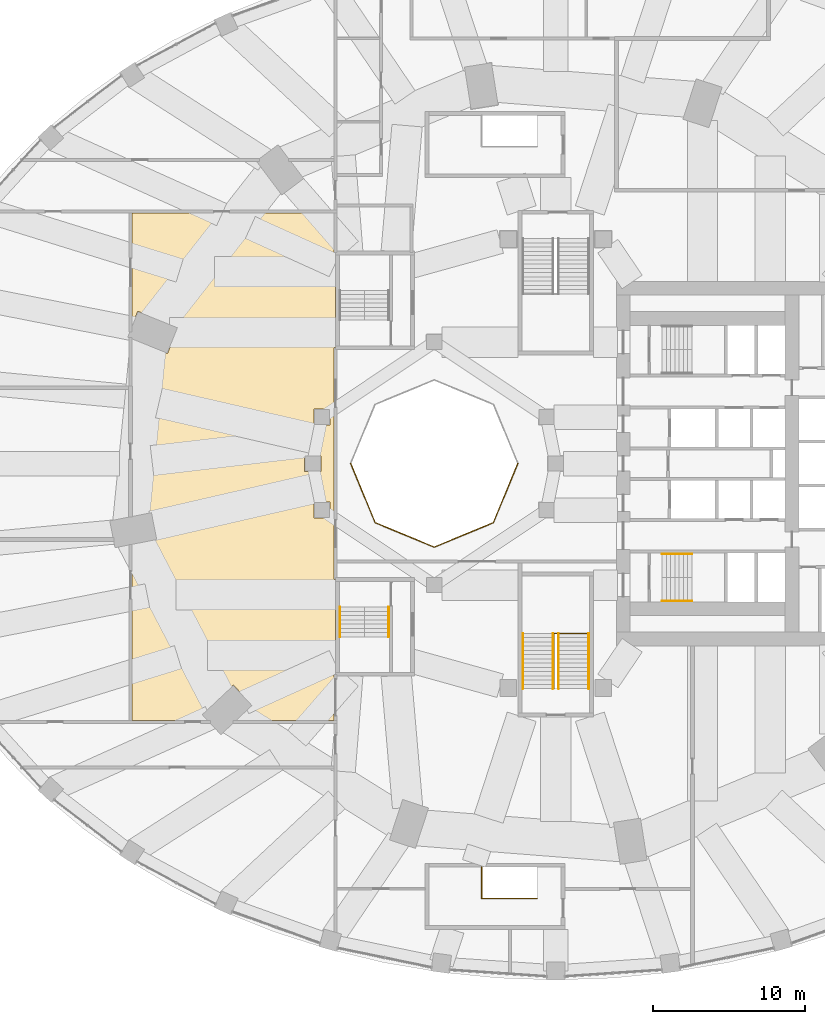
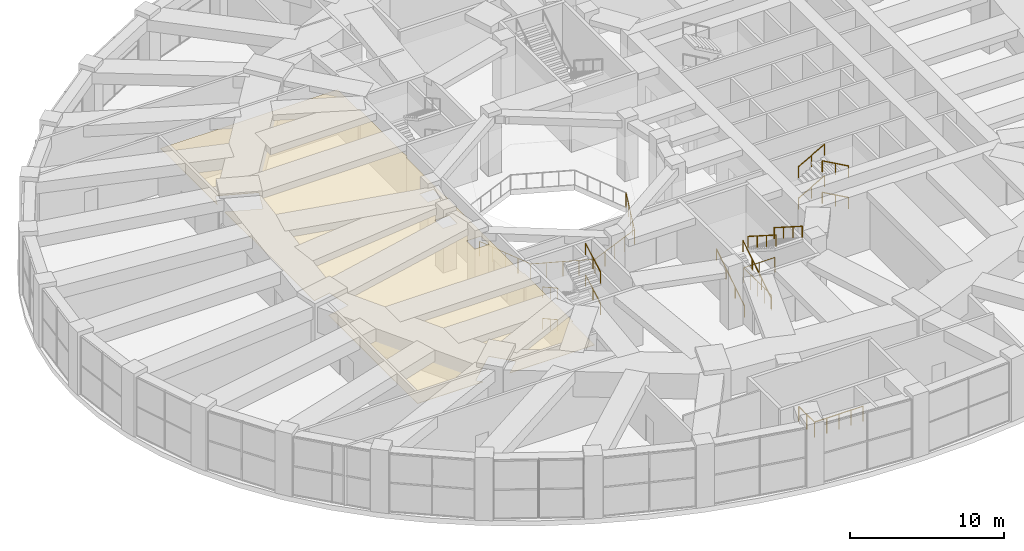
# One storey, part 27 of 30: 15 railings, 1 covering.
"""IFC4 building model written with IfcOpenShell, lengths in metres."""

from ifc_helpers import new_model, si_unit, direction, frame, origin, origin_2d, place, context, subcontext, project, spatial, polyline, circle, outline, extrude, material, layer, layer_set, type_object, element, save


model = new_model("IFC4")

# Units and contexts
model_context = context("Model", 3, precision=1e-05, world=origin(), true_north=direction((0.0, 1.0)))
body_context = subcontext(model_context, "Body", "Model", "MODEL_VIEW")
ifc_project = project(units=[si_unit("LENGTHUNIT", "METRE"), si_unit("AREAUNIT", "SQUARE_METRE"), si_unit("VOLUMEUNIT", "CUBIC_METRE"), si_unit("PLANEANGLEUNIT", "RADIAN"), si_unit("MASSUNIT", "GRAM", prefix="KILO")], contexts=[model_context])

# Site, building, storey
site_placement = place(None, origin())
site = spatial("IfcSite", under=ifc_project, at=site_placement, CompositionType="ELEMENT")
building_placement = place(site_placement, origin())
building = spatial("IfcBuilding", under=site, at=building_placement, Name="Taillehof Tower", CompositionType="ELEMENT")
storey_placement = place(building_placement, frame((0.0, 0.0, 12.5)))
storey = spatial("IfcBuildingStorey", under=building, at=storey_placement, Name="L02", CompositionType="ELEMENT", Elevation=12.5)

# Railings
ifc_material_1 = material(Name="Stainless steel and laminated glass", Category="steel")
railing_type_1 = type_object("IfcRailingType", Name="Guard 1200 mm", PredefinedType="GUARDRAIL", material=ifc_material_1)
railing_1_placement = place(storey_placement, frame((-13.5, 0.0, 0.0)))
element("IfcRailing", 1, at=railing_1_placement, inside=storey, type_object=railing_type_1, Name="Guard atrium", PredefinedType="GUARDRAIL", context=body_context, shape_type="SweptSolid", body=[
    extrude(circle(Radius=0.02392578125, at=origin_2d()), frame((0.0, 0.0, 1.17578125), z_axis=(0.38266253946, -0.923888186359, 0.0), x_axis=(0.923888186359, 0.38266253946, 0.0)), (0.0, 0.0, 1.0), 4.20947265625),
    extrude(circle(Radius=0.02392578125, at=origin_2d()), frame((1.61083984375, -3.88916015625, 1.17578125), z_axis=(0.923888186359, -0.38266253946, 0.0), x_axis=(0.38266253946, 0.923888186359, 0.0)), (0.0, 0.0, 1.0), 4.20947265625),
    extrude(circle(Radius=0.02392578125, at=origin_2d()), frame((5.5, -5.5, 1.17578125), z_axis=(0.923888186359, 0.38266253946, 0.0), x_axis=(-0.38266253946, 0.923888186359, 0.0)), (0.0, 0.0, 1.0), 4.20947265625),
    extrude(circle(Radius=0.02392578125, at=origin_2d()), frame((9.38916015625, -3.88916015625, 1.17578125), z_axis=(0.38266253946, 0.923888186359, 0.0), x_axis=(-0.923888186359, 0.38266253946, 0.0)), (0.0, 0.0, 1.0), 4.20947265625),
    extrude(circle(Radius=0.02099609375, at=origin_2d()), origin(), (0.0, 0.0, 1.0), 1.15185546875),
    extrude(circle(Radius=0.02099609375, at=origin_2d()), frame((0.40283203125, -0.97216796875, 0.0)), (0.0, 0.0, 1.0), 1.15185546875),
    extrude(circle(Radius=0.02099609375, at=origin_2d()), frame((0.805419921875, -1.944580078125, 0.0)), (0.0, 0.0, 1.0), 1.15185546875),
    extrude(circle(Radius=0.02099609375, at=origin_2d()), frame((1.2080078125, -2.9169921875, 0.0)), (0.0, 0.0, 1.0), 1.15185546875),
    extrude(circle(Radius=0.02099609375, at=origin_2d()), frame((1.61083984375, -3.88916015625, 0.0)), (0.0, 0.0, 1.0), 1.15185546875),
    extrude(circle(Radius=0.02099609375, at=origin_2d()), frame((2.5830078125, -4.2919921875, 0.0)), (0.0, 0.0, 1.0), 1.15185546875),
    extrude(circle(Radius=0.02099609375, at=origin_2d()), frame((3.555419921875, -4.694580078125, 0.0)), (0.0, 0.0, 1.0), 1.15185546875),
    extrude(circle(Radius=0.02099609375, at=origin_2d()), frame((4.52783203125, -5.09716796875, 0.0)), (0.0, 0.0, 1.0), 1.15185546875),
    extrude(circle(Radius=0.02099609375, at=origin_2d()), frame((5.5, -5.5, 0.0)), (0.0, 0.0, 1.0), 1.15185546875),
    extrude(circle(Radius=0.02099609375, at=origin_2d()), frame((6.47216796875, -5.09716796875, 0.0)), (0.0, 0.0, 1.0), 1.15185546875),
    extrude(circle(Radius=0.02099609375, at=origin_2d()), frame((7.444580078125, -4.694580078125, 0.0)), (0.0, 0.0, 1.0), 1.15185546875),
    extrude(circle(Radius=0.02099609375, at=origin_2d()), frame((8.4169921875, -4.2919921875, 0.0)), (0.0, 0.0, 1.0), 1.15185546875),
    extrude(circle(Radius=0.02099609375, at=origin_2d()), frame((9.38916015625, -3.88916015625, 0.0)), (0.0, 0.0, 1.0), 1.15185546875),
    extrude(circle(Radius=0.02099609375, at=origin_2d()), frame((9.7919921875, -2.9169921875, 0.0)), (0.0, 0.0, 1.0), 1.15185546875),
    extrude(circle(Radius=0.02099609375, at=origin_2d()), frame((10.194580078125, -1.944580078125, 0.0)), (0.0, 0.0, 1.0), 1.15185546875),
    extrude(circle(Radius=0.02099609375, at=origin_2d()), frame((10.59716796875, -0.97216796875, 0.0)), (0.0, 0.0, 1.0), 1.15185546875),
    extrude(circle(Radius=0.02099609375, at=origin_2d()), frame((11.0, 0.0, 0.0)), (0.0, 0.0, 1.0), 1.15185546875),
])
railing_2_placement = place(storey_placement, frame((-0.125, -14.820068359375, 0.0)))
element("IfcRailing", 2, at=railing_2_placement, inside=storey, type_object=railing_type_1, Name="Guard P2", PredefinedType="GUARDRAIL", context=body_context, shape_type="SweptSolid", body=[
    extrude(circle(Radius=0.02392578125, at=origin_2d()), frame((0.0, 0.0, 1.17578125), z_axis=(0.0, 1.0, 0.0), x_axis=(-1.0, 0.0, 0.0)), (0.0, 0.0, 1.0), 3.64013671875),
    extrude(circle(Radius=0.02392578125, at=origin_2d()), frame((0.0, 3.64013671875, 1.17578125), z_axis=(1.0, 0.0, 0.0), x_axis=(0.0, 1.0, 0.0)), (0.0, 0.0, 1.0), 2.35009765625),
    extrude(circle(Radius=0.02099609375, at=origin_2d()), origin(), (0.0, 0.0, 1.0), 1.15185546875),
    extrude(circle(Radius=0.02099609375, at=origin_2d()), frame((0.0, 0.91015625, 0.0)), (0.0, 0.0, 1.0), 1.15185546875),
    extrude(circle(Radius=0.02099609375, at=origin_2d()), frame((0.0, 1.820068359375, 0.0)), (0.0, 0.0, 1.0), 1.15185546875),
    extrude(circle(Radius=0.02099609375, at=origin_2d()), frame((0.0, 2.72998046875, 0.0)), (0.0, 0.0, 1.0), 1.15185546875),
    extrude(circle(Radius=0.02099609375, at=origin_2d()), frame((0.0, 3.64013671875, 0.0)), (0.0, 0.0, 1.0), 1.15185546875),
    extrude(circle(Radius=0.02099609375, at=origin_2d()), frame((1.175048828125, 3.64013671875, 0.0)), (0.0, 0.0, 1.0), 1.15185546875),
    extrude(circle(Radius=0.02099609375, at=origin_2d()), frame((2.35009765625, 3.64013671875, 0.0)), (0.0, 0.0, 1.0), 1.15185546875),
])
railing_3_placement = place(storey_placement, frame((-1.239990234375, -28.625, 0.0)))
element("IfcRailing", 3, at=railing_3_placement, inside=storey, type_object=railing_type_1, Name="Guard P4", PredefinedType="GUARDRAIL", context=body_context, shape_type="SweptSolid", body=[
    extrude(circle(Radius=0.02392578125, at=origin_2d()), frame((0.0, 0.0, 1.17578125), z_axis=(-1.0, 0.0, 0.0), x_axis=(0.0, -1.0, 0.0)), (0.0, 0.0, 1.0), 3.639892578125),
    extrude(circle(Radius=0.02392578125, at=origin_2d()), frame((-3.639892578125, 0.0, 1.17578125), z_axis=(0.0, 1.0, 0.0), x_axis=(-1.0, 0.0, 0.0)), (0.0, 0.0, 1.0), 2.050048828125),
    extrude(circle(Radius=0.02099609375, at=origin_2d()), origin(), (0.0, 0.0, 1.0), 1.15185546875),
    extrude(circle(Radius=0.02099609375, at=origin_2d()), frame((-0.909912109375, 0.0, 0.0)), (0.0, 0.0, 1.0), 1.15185546875),
    extrude(circle(Radius=0.02099609375, at=origin_2d()), frame((-1.81982421875, 0.0, 0.0)), (0.0, 0.0, 1.0), 1.15185546875),
    extrude(circle(Radius=0.02099609375, at=origin_2d()), frame((-2.72998046875, 0.0, 0.0)), (0.0, 0.0, 1.0), 1.15185546875),
    extrude(circle(Radius=0.02099609375, at=origin_2d()), frame((-3.639892578125, 0.0, 0.0)), (0.0, 0.0, 1.0), 1.15185546875),
    extrude(circle(Radius=0.02099609375, at=origin_2d()), frame((-3.639892578125, 1.02490234375, 0.0)), (0.0, 0.0, 1.0), 1.15185546875),
    extrude(circle(Radius=0.02099609375, at=origin_2d()), frame((-3.639892578125, 2.050048828125, 0.0)), (0.0, 0.0, 1.0), 1.15185546875),
])
ifc_material_2 = material(Name="Stainless steel tube", Category="steel")
railing_type_2 = type_object("IfcRailingType", Name="Handrail 900 mm", PredefinedType="HANDRAIL", material=ifc_material_2)
for number, where, name in (
    (4, (-2.1650390625, -14.820068359375, 0.1787109375), "Handrail P2"),
    (5, (-0.18505859375, -14.820068359375, 0.1787109375), "Handrail P2"),
):
    element("IfcRailing", number, at=place(storey_placement, frame(where)), inside=storey, type_object=railing_type_2, Name=name, PredefinedType="HANDRAIL", context=body_context, shape_type="SweptSolid", body=[
        extrude(circle(Radius=0.02392578125, at=origin_2d()), frame((0.0, 0.0, 0.8759765625), z_axis=(0.0, 0.843153495434, 0.537672933239), x_axis=(-1.0, 0.0, 0.0)), (0.0, 0.0, 1.0), 4.3173828125),
        extrude(circle(Radius=0.02099609375, at=origin_2d()), origin(), (0.0, 0.0, 1.0), 0.851806640625),
        extrude(circle(Radius=0.02099609375, at=origin_2d()), frame((0.0, 1.21337890625, 0.773681640625)), (0.0, 0.0, 1.0), 0.851806640625),
        extrude(circle(Radius=0.02099609375, at=origin_2d()), frame((0.0, 2.4267578125, 1.547607421875)), (0.0, 0.0, 1.0), 0.851806640625),
        extrude(circle(Radius=0.02099609375, at=origin_2d()), frame((0.0, 3.64013671875, 2.3212890625)), (0.0, 0.0, 1.0), 0.851806640625),
    ])
for number, where, name in (
    (6, (0.18505859375, -11.179931640625, 2.6787109375), "Handrail P2"),
    (7, (2.1650390625, -11.179931640625, 2.6787109375), "Handrail P2"),
):
    element("IfcRailing", number, at=place(storey_placement, frame(where)), inside=storey, type_object=railing_type_2, Name=name, PredefinedType="HANDRAIL", context=body_context, shape_type="SweptSolid", body=[
        extrude(circle(Radius=0.02392578125, at=origin_2d()), frame((0.0, 0.0, 0.8759765625), z_axis=(0.0, -0.843153495434, 0.537672933239), x_axis=(1.0, 0.0, 0.0)), (0.0, 0.0, 1.0), 4.3173828125),
        extrude(circle(Radius=0.02099609375, at=origin_2d()), origin(), (0.0, 0.0, 1.0), 0.851806640625),
        extrude(circle(Radius=0.02099609375, at=origin_2d()), frame((0.0, -1.21337890625, 0.773681640625)), (0.0, 0.0, 1.0), 0.851806640625),
        extrude(circle(Radius=0.02099609375, at=origin_2d()), frame((0.0, -2.4267578125, 1.547607421875)), (0.0, 0.0, 1.0), 0.851806640625),
        extrude(circle(Radius=0.02099609375, at=origin_2d()), frame((0.0, -3.64013671875, 2.3212890625)), (0.0, 0.0, 1.0), 0.851806640625),
    ])
ifc_material_3 = material(Name="Stainless steel", Category="steel")
railing_type_3 = type_object("IfcRailingType", Name="Stair handrail 900", PredefinedType="HANDRAIL", material=ifc_material_3)
railing_4_placement = place(storey_placement, frame((7.0, -5.949951171875, 0.15625)))
element("IfcRailing", 8, at=railing_4_placement, inside=storey, type_object=railing_type_3, Name="Stair S2 handrail", PredefinedType="HANDRAIL", context=body_context, shape_type="SweptSolid", body=[
    extrude(circle(Radius=0.02392578125, at=origin_2d()), frame((0.0, 0.0, 0.8759765625), z_axis=(0.873232148454, 0.0, 0.487304437602), x_axis=(0.0, 1.0, 0.0)), (0.0, 0.0, 1.0), 2.244384765625),
    extrude(circle(Radius=0.02099609375, at=origin_2d()), origin(), (0.0, 0.0, 1.0), 0.851806640625),
    extrude(circle(Radius=0.02099609375, at=origin_2d()), frame((0.97998046875, 0.0, 0.546875)), (0.0, 0.0, 1.0), 0.851806640625),
    extrude(circle(Radius=0.02099609375, at=origin_2d()), frame((1.9599609375, 0.0, 1.09375)), (0.0, 0.0, 1.0), 0.851806640625),
])
railing_5_placement = place(storey_placement, frame((8.9599609375, -9.050048828125, 1.40625)))
element("IfcRailing", 9, at=railing_5_placement, inside=storey, type_object=railing_type_3, Name="Stair S2 handrail", PredefinedType="HANDRAIL", context=body_context, shape_type="SweptSolid", body=[
    extrude(circle(Radius=0.02392578125, at=origin_2d()), frame((0.0, 0.0, 0.8759765625), z_axis=(-0.873232148454, 0.0, 0.487304437602), x_axis=(0.0, -1.0, 0.0)), (0.0, 0.0, 1.0), 2.244384765625),
    extrude(circle(Radius=0.02099609375, at=origin_2d()), origin(), (0.0, 0.0, 1.0), 0.851806640625),
    extrude(circle(Radius=0.02099609375, at=origin_2d()), frame((-0.97998046875, 0.0, 0.546875)), (0.0, 0.0, 1.0), 0.851806640625),
    extrude(circle(Radius=0.02099609375, at=origin_2d()), frame((-1.9599609375, 0.0, 1.09375)), (0.0, 0.0, 1.0), 0.851806640625),
])
railing_6_placement = place(storey_placement, frame((7.0, -5.949951171875, 2.65625)))
element("IfcRailing", 10, at=railing_6_placement, inside=storey, type_object=railing_type_3, Name="Stair S2 handrail", PredefinedType="HANDRAIL", context=body_context, shape_type="SweptSolid", body=[
    extrude(circle(Radius=0.02392578125, at=origin_2d()), frame((0.0, 0.0, 0.8759765625), z_axis=(0.873232148454, 0.0, 0.487304437602), x_axis=(0.0, 1.0, 0.0)), (0.0, 0.0, 1.0), 2.244384765625),
    extrude(circle(Radius=0.02099609375, at=origin_2d()), origin(), (0.0, 0.0, 1.0), 0.851806640625),
    extrude(circle(Radius=0.02099609375, at=origin_2d()), frame((0.97998046875, 0.0, 0.546875)), (0.0, 0.0, 1.0), 0.851806640625),
    extrude(circle(Radius=0.02099609375, at=origin_2d()), frame((1.9599609375, 0.0, 1.09375)), (0.0, 0.0, 1.0), 0.851806640625),
])
railing_7_placement = place(storey_placement, frame((8.9599609375, -9.050048828125, 3.90625)))
element("IfcRailing", 11, at=railing_7_placement, inside=storey, type_object=railing_type_3, Name="Stair S2 handrail", PredefinedType="HANDRAIL", context=body_context, shape_type="SweptSolid", body=[
    extrude(circle(Radius=0.02392578125, at=origin_2d()), frame((0.0, 0.0, 0.8759765625), z_axis=(-0.873232148454, 0.0, 0.487304437602), x_axis=(0.0, -1.0, 0.0)), (0.0, 0.0, 1.0), 2.244384765625),
    extrude(circle(Radius=0.02099609375, at=origin_2d()), origin(), (0.0, 0.0, 1.0), 0.851806640625),
    extrude(circle(Radius=0.02099609375, at=origin_2d()), frame((-0.97998046875, 0.0, 0.546875)), (0.0, 0.0, 1.0), 0.851806640625),
    extrude(circle(Radius=0.02099609375, at=origin_2d()), frame((-1.9599609375, 0.0, 1.09375)), (0.0, 0.0, 1.0), 0.851806640625),
])
railing_8_placement = place(storey_placement, frame((-14.199951171875, -9.449951171875, 0.15625)))
element("IfcRailing", 12, at=railing_8_placement, inside=storey, type_object=railing_type_3, Name="Stair S4 handrail", PredefinedType="HANDRAIL", context=body_context, shape_type="SweptSolid", body=[
    extrude(circle(Radius=0.02392578125, at=origin_2d()), frame((0.0, 0.0, 0.8759765625), z_axis=(0.0, -0.873232148454, 0.487304437602), x_axis=(1.0, 0.0, 0.0)), (0.0, 0.0, 1.0), 2.244384765625),
    extrude(circle(Radius=0.02099609375, at=origin_2d()), origin(), (0.0, 0.0, 1.0), 0.851806640625),
    extrude(circle(Radius=0.02099609375, at=origin_2d()), frame((0.0, -0.97998046875, 0.546875)), (0.0, 0.0, 1.0), 0.851806640625),
    extrude(circle(Radius=0.02099609375, at=origin_2d()), frame((0.0, -1.9599609375, 1.09375)), (0.0, 0.0, 1.0), 0.851806640625),
])
railing_9_placement = place(storey_placement, frame((-11.0, -11.409912109375, 1.40625)))
element("IfcRailing", 13, at=railing_9_placement, inside=storey, type_object=railing_type_3, Name="Stair S4 handrail", PredefinedType="HANDRAIL", context=body_context, shape_type="SweptSolid", body=[
    extrude(circle(Radius=0.02392578125, at=origin_2d()), frame((0.0, 0.0, 0.8759765625), z_axis=(0.0, 0.873232148454, 0.487304437602), x_axis=(-1.0, 0.0, 0.0)), (0.0, 0.0, 1.0), 2.244384765625),
    extrude(circle(Radius=0.02099609375, at=origin_2d()), origin(), (0.0, 0.0, 1.0), 0.851806640625),
    extrude(circle(Radius=0.02099609375, at=origin_2d()), frame((0.0, 0.97998046875, 0.546875)), (0.0, 0.0, 1.0), 0.851806640625),
    extrude(circle(Radius=0.02099609375, at=origin_2d()), frame((0.0, 1.9599609375, 1.09375)), (0.0, 0.0, 1.0), 0.851806640625),
])
railing_10_placement = place(storey_placement, frame((-14.199951171875, -9.449951171875, 2.65625)))
element("IfcRailing", 14, at=railing_10_placement, inside=storey, type_object=railing_type_3, Name="Stair S4 handrail", PredefinedType="HANDRAIL", context=body_context, shape_type="SweptSolid", body=[
    extrude(circle(Radius=0.02392578125, at=origin_2d()), frame((0.0, 0.0, 0.8759765625), z_axis=(0.0, -0.873232148454, 0.487304437602), x_axis=(1.0, 0.0, 0.0)), (0.0, 0.0, 1.0), 2.244384765625),
    extrude(circle(Radius=0.02099609375, at=origin_2d()), origin(), (0.0, 0.0, 1.0), 0.851806640625),
    extrude(circle(Radius=0.02099609375, at=origin_2d()), frame((0.0, -0.97998046875, 0.546875)), (0.0, 0.0, 1.0), 0.851806640625),
    extrude(circle(Radius=0.02099609375, at=origin_2d()), frame((0.0, -1.9599609375, 1.09375)), (0.0, 0.0, 1.0), 0.851806640625),
])
railing_11_placement = place(storey_placement, frame((-11.0, -11.409912109375, 3.90625)))
element("IfcRailing", 15, at=railing_11_placement, inside=storey, type_object=railing_type_3, Name="Stair S4 handrail", PredefinedType="HANDRAIL", context=body_context, shape_type="SweptSolid", body=[
    extrude(circle(Radius=0.02392578125, at=origin_2d()), frame((0.0, 0.0, 0.8759765625), z_axis=(0.0, 0.873232148454, 0.487304437602), x_axis=(-1.0, 0.0, 0.0)), (0.0, 0.0, 1.0), 2.244384765625),
    extrude(circle(Radius=0.02099609375, at=origin_2d()), origin(), (0.0, 0.0, 1.0), 0.851806640625),
    extrude(circle(Radius=0.02099609375, at=origin_2d()), frame((0.0, 0.97998046875, 0.546875)), (0.0, 0.0, 1.0), 0.851806640625),
    extrude(circle(Radius=0.02099609375, at=origin_2d()), frame((0.0, 1.9599609375, 1.09375)), (0.0, 0.0, 1.0), 0.851806640625),
])

# Covering
ifc_material_4 = material(Name="Mineral fibre ceiling tiles")
ifc_layer = layer(ifc_material_4, 0.030029296875)
ifc_layer_set = layer_set([ifc_layer], Name="Suspended ceiling 30 mm")
covering_type = type_object("IfcCoveringType", Name="Suspended ceiling 30 mm", PredefinedType="CEILING", material=ifc_layer_set)
covering_placement = place(storey_placement, frame((0.0, 0.0, 3.570068359375)))
element("IfcCovering", 16, at=covering_placement, inside=storey, type_object=covering_type, Name="Ceiling L02-21", PredefinedType="CEILING", context=body_context, shape_type="SweptSolid", body=[
    extrude(outline(polyline([(-27.89990234375, -16.89990234375), (-27.89990234375, -5.347900390625), (-26.267578125, -5.02685546875), (-26.264892578125, -5.0263671875), (-26.261962890625, -5.025390625), (-26.25927734375, -5.02392578125), (-26.2568359375, -5.0224609375), (-26.25439453125, -5.020751953125), (-26.252197265625, -5.018798828125), (-26.250244140625, -5.0166015625), (-26.24853515625, -5.01416015625), (-26.2470703125, -5.01171875), (-26.245849609375, -5.009033203125), (-26.244873046875, -5.00634765625), (-26.244140625, -5.00341796875), (-26.24365234375, -5.00048828125), (-26.243408203125, -4.99755859375), (-26.24365234375, -4.99462890625), (-26.244140625, -4.99169921875), (-26.59130859375, -3.2255859375), (-26.592041015625, -3.22265625), (-26.593017578125, -3.219970703125), (-26.59423828125, -3.21728515625), (-26.595947265625, -3.21484375), (-26.59765625, -3.21240234375), (-26.599609375, -3.210205078125), (-26.601806640625, -3.208251953125), (-26.60400390625, -3.20654296875), (-26.606689453125, -3.204833984375), (-26.609375, -3.20361328125), (-26.612060546875, -3.20263671875), (-26.614990234375, -3.201904296875), (-26.617919921875, -3.201416015625), (-26.620849609375, -3.201416015625), (-26.623779296875, -3.201416015625), (-26.626708984375, -3.201904296875), (-27.875, -3.447509765625), (-27.875, 5.125), (-27.89990234375, 5.125), (-27.89990234375, 8.181884765625), (-25.598876953125, 7.247802734375), (-25.59619140625, 7.246826171875), (-25.59326171875, 7.24609375), (-25.59033203125, 7.24560546875), (-25.58740234375, 7.24560546875), (-25.58447265625, 7.24560546875), (-25.58154296875, 7.24609375), (-25.578857421875, 7.246826171875), (-25.575927734375, 7.247802734375), (-25.5732421875, 7.2490234375), (-25.57080078125, 7.250732421875), (-25.568359375, 7.25244140625), (-25.56640625, 7.25439453125), (-25.564453125, 7.256591796875), (-25.5625, 7.259033203125), (-25.56103515625, 7.261474609375), (-25.559814453125, 7.26416015625), (-24.8828125, 8.93212890625), (-24.8818359375, 8.934814453125), (-24.881103515625, 8.937744140625), (-24.880615234375, 8.940673828125), (-24.880615234375, 8.943603515625), (-24.880859375, 8.946533203125), (-24.881103515625, 8.949462890625), (-24.8818359375, 8.9521484375), (-24.883056640625, 8.955078125), (-24.88427734375, 8.95751953125), (-24.8857421875, 8.960205078125), (-24.887451171875, 8.96240234375), (-24.8896484375, 8.964599609375), (-24.891845703125, 8.966552734375), (-24.89404296875, 8.96826171875), (-24.896728515625, 8.969970703125), (-24.8994140625, 8.97119140625), (-27.49365234375, 10.0244140625), (-27.496337890625, 10.025390625), (-27.499267578125, 10.02587890625), (-27.502197265625, 10.0263671875), (-27.505126953125, 10.026611328125), (-27.508056640625, 10.0263671875), (-27.510986328125, 10.02587890625), (-27.513916015625, 10.025146484375), (-27.5166015625, 10.024169921875), (-27.519287109375, 10.02294921875), (-27.521728515625, 10.021240234375), (-27.524169921875, 10.01953125), (-27.5263671875, 10.017578125), (-27.5283203125, 10.015380859375), (-27.530029296875, 10.012939453125), (-27.531494140625, 10.010498046875), (-27.53271484375, 10.0078125), (-27.89990234375, 9.103271484375), (-27.89990234375, 16.5), (-14.60009765625, 16.5), (-14.60009765625, 13.89990234375), (-14.5, 13.89990234375), (-14.5, 7.60009765625), (-14.60009765625, 7.60009765625), (-14.60009765625, -6.35009765625), (-14.60009765625, -7.60009765625), (-14.5, -7.60009765625), (-14.5, -13.89990234375), (-14.60009765625, -13.89990234375), (-14.60009765625, -16.89990234375), (-20.9951171875, -16.89990234375), (-19.983154296875, -15.95263671875), (-19.98095703125, -15.95068359375), (-19.979248046875, -15.9482421875), (-19.9775390625, -15.94580078125), (-19.976318359375, -15.943115234375), (-19.97509765625, -15.9404296875), (-19.974365234375, -15.937744140625), (-19.973876953125, -15.934814453125), (-19.9736328125, -15.931884765625), (-19.9736328125, -15.928955078125), (-19.97412109375, -15.926025390625), (-19.974609375, -15.923095703125), (-19.9755859375, -15.920166015625), (-19.976806640625, -15.91748046875), (-19.97802734375, -15.9150390625), (-19.979736328125, -15.91259765625), (-19.981689453125, -15.910400390625), (-21.211669921875, -14.59619140625), (-21.2138671875, -14.593994140625), (-21.216064453125, -14.59228515625), (-21.218505859375, -14.590576171875), (-21.22119140625, -14.58935546875), (-21.223876953125, -14.588134765625), (-21.226806640625, -14.58740234375), (-21.229736328125, -14.5869140625), (-21.232666015625, -14.586669921875), (-21.235595703125, -14.586669921875), (-21.238525390625, -14.5869140625), (-21.241455078125, -14.587646484375), (-21.244140625, -14.588623046875), (-21.246826171875, -14.589599609375), (-21.24951171875, -14.591064453125), (-21.251953125, -14.5927734375), (-21.254150390625, -14.5947265625), (-23.29833984375, -16.508056640625), (-23.300537109375, -16.51025390625), (-23.30224609375, -16.512451171875), (-23.303955078125, -16.514892578125), (-23.30517578125, -16.517578125), (-23.306396484375, -16.520263671875), (-23.30712890625, -16.523193359375), (-23.3076171875, -16.526123046875), (-23.307861328125, -16.529052734375), (-23.307861328125, -16.531982421875), (-23.3076171875, -16.534912109375), (-23.306884765625, -16.53759765625), (-23.305908203125, -16.54052734375), (-23.304931640625, -16.543212890625), (-23.303466796875, -16.545654296875), (-23.3017578125, -16.548095703125), (-23.2998046875, -16.550537109375), (-22.97265625, -16.89990234375), (-27.89990234375, -16.89990234375)]), holes=[polyline([(-15.902587890625, -3.589111328125), (-15.899658203125, -3.590087890625), (-15.89697265625, -3.5908203125), (-15.89404296875, -3.59130859375), (-15.89111328125, -3.591552734375), (-14.89111328125, -3.591552734375), (-14.88818359375, -3.59130859375), (-14.88525390625, -3.5908203125), (-14.88232421875, -3.590087890625), (-14.879638671875, -3.589111328125), (-14.876953125, -3.587890625), (-14.874267578125, -3.58642578125), (-14.8720703125, -3.584716796875), (-14.869873046875, -3.582763671875), (-14.867919921875, -3.58056640625), (-14.8662109375, -3.578125), (-14.864501953125, -3.57568359375), (-14.86328125, -3.572998046875), (-14.8623046875, -3.570068359375), (-14.861572265625, -3.5673828125), (-14.861083984375, -3.564453125), (-14.861083984375, -3.5615234375), (-14.861083984375, -2.5615234375), (-14.861083984375, -2.55859375), (-14.861572265625, -2.5556640625), (-14.8623046875, -2.552734375), (-14.86328125, -2.550048828125), (-14.864501953125, -2.54736328125), (-14.8662109375, -2.544921875), (-14.867919921875, -2.54248046875), (-14.869873046875, -2.540283203125), (-14.8720703125, -2.538330078125), (-14.874267578125, -2.53662109375), (-14.876953125, -2.534912109375), (-14.879638671875, -2.53369140625), (-14.88232421875, -2.53271484375), (-14.88525390625, -2.531982421875), (-14.88818359375, -2.531494140625), (-14.89111328125, -2.531494140625), (-15.89111328125, -2.531494140625), (-15.89404296875, -2.531494140625), (-15.89697265625, -2.531982421875), (-15.899658203125, -2.53271484375), (-15.902587890625, -2.53369140625), (-15.9052734375, -2.534912109375), (-15.90771484375, -2.53662109375), (-15.91015625, -2.538330078125), (-15.912353515625, -2.540283203125), (-15.914306640625, -2.54248046875), (-15.916015625, -2.544921875), (-15.91748046875, -2.54736328125), (-15.918701171875, -2.550048828125), (-15.919677734375, -2.552734375), (-15.92041015625, -2.5556640625), (-15.9208984375, -2.55859375), (-15.921142578125, -2.5615234375), (-15.921142578125, -3.5615234375), (-15.9208984375, -3.564453125), (-15.92041015625, -3.5673828125), (-15.919677734375, -3.570068359375), (-15.918701171875, -3.572998046875), (-15.91748046875, -3.57568359375), (-15.916015625, -3.578125), (-15.914306640625, -3.58056640625), (-15.912353515625, -3.582763671875), (-15.91015625, -3.584716796875), (-15.90771484375, -3.58642578125), (-15.9052734375, -3.587890625), (-15.902587890625, -3.589111328125)]), polyline([(-16.511474609375, -0.52783203125), (-16.5087890625, -0.52880859375), (-16.505859375, -0.529541015625), (-16.5029296875, -0.52978515625), (-16.5, -0.530029296875), (-15.5, -0.530029296875), (-15.4970703125, -0.52978515625), (-15.494140625, -0.529541015625), (-15.4912109375, -0.52880859375), (-15.488525390625, -0.52783203125), (-15.48583984375, -0.5263671875), (-15.4833984375, -0.52490234375), (-15.48095703125, -0.523193359375), (-15.478759765625, -0.521240234375), (-15.476806640625, -0.51904296875), (-15.47509765625, -0.5166015625), (-15.4736328125, -0.51416015625), (-15.47216796875, -0.511474609375), (-15.47119140625, -0.5087890625), (-15.470458984375, -0.505859375), (-15.47021484375, -0.5029296875), (-15.469970703125, -0.5), (-15.469970703125, 0.5), (-15.47021484375, 0.5029296875), (-15.470458984375, 0.505859375), (-15.47119140625, 0.5087890625), (-15.47216796875, 0.511474609375), (-15.4736328125, 0.51416015625), (-15.47509765625, 0.5166015625), (-15.476806640625, 0.51904296875), (-15.478759765625, 0.521240234375), (-15.48095703125, 0.523193359375), (-15.4833984375, 0.52490234375), (-15.48583984375, 0.5263671875), (-15.488525390625, 0.52783203125), (-15.4912109375, 0.52880859375), (-15.494140625, 0.529541015625), (-15.4970703125, 0.52978515625), (-15.5, 0.530029296875), (-16.5, 0.530029296875), (-16.5029296875, 0.52978515625), (-16.505859375, 0.529541015625), (-16.5087890625, 0.52880859375), (-16.511474609375, 0.52783203125), (-16.51416015625, 0.5263671875), (-16.5166015625, 0.52490234375), (-16.51904296875, 0.523193359375), (-16.521240234375, 0.521240234375), (-16.523193359375, 0.51904296875), (-16.52490234375, 0.5166015625), (-16.5263671875, 0.51416015625), (-16.52783203125, 0.511474609375), (-16.52880859375, 0.5087890625), (-16.529541015625, 0.505859375), (-16.52978515625, 0.5029296875), (-16.530029296875, 0.5), (-16.530029296875, -0.5), (-16.52978515625, -0.5029296875), (-16.529541015625, -0.505859375), (-16.52880859375, -0.5087890625), (-16.52783203125, -0.511474609375), (-16.5263671875, -0.51416015625), (-16.52490234375, -0.5166015625), (-16.523193359375, -0.51904296875), (-16.521240234375, -0.521240234375), (-16.51904296875, -0.523193359375), (-16.5166015625, -0.52490234375), (-16.51416015625, -0.5263671875), (-16.511474609375, -0.52783203125)]), polyline([(-15.902587890625, 2.53369140625), (-15.899658203125, 2.53271484375), (-15.89697265625, 2.531982421875), (-15.89404296875, 2.531494140625), (-15.89111328125, 2.531494140625), (-14.89111328125, 2.531494140625), (-14.88818359375, 2.531494140625), (-14.88525390625, 2.531982421875), (-14.88232421875, 2.53271484375), (-14.879638671875, 2.53369140625), (-14.876953125, 2.534912109375), (-14.874267578125, 2.53662109375), (-14.8720703125, 2.538330078125), (-14.869873046875, 2.540283203125), (-14.867919921875, 2.54248046875), (-14.8662109375, 2.544921875), (-14.864501953125, 2.54736328125), (-14.86328125, 2.550048828125), (-14.8623046875, 2.552734375), (-14.861572265625, 2.5556640625), (-14.861083984375, 2.55859375), (-14.861083984375, 2.5615234375), (-14.861083984375, 3.5615234375), (-14.861083984375, 3.564453125), (-14.861572265625, 3.5673828125), (-14.8623046875, 3.570068359375), (-14.86328125, 3.572998046875), (-14.864501953125, 3.57568359375), (-14.8662109375, 3.578125), (-14.867919921875, 3.58056640625), (-14.869873046875, 3.582763671875), (-14.8720703125, 3.584716796875), (-14.874267578125, 3.58642578125), (-14.876953125, 3.587890625), (-14.879638671875, 3.589111328125), (-14.88232421875, 3.590087890625), (-14.88525390625, 3.5908203125), (-14.88818359375, 3.59130859375), (-14.89111328125, 3.591552734375), (-15.89111328125, 3.591552734375), (-15.89404296875, 3.59130859375), (-15.89697265625, 3.5908203125), (-15.899658203125, 3.590087890625), (-15.902587890625, 3.589111328125), (-15.9052734375, 3.587890625), (-15.90771484375, 3.58642578125), (-15.91015625, 3.584716796875), (-15.912353515625, 3.582763671875), (-15.914306640625, 3.58056640625), (-15.916015625, 3.578125), (-15.91748046875, 3.57568359375), (-15.918701171875, 3.572998046875), (-15.919677734375, 3.570068359375), (-15.92041015625, 3.5673828125), (-15.9208984375, 3.564453125), (-15.921142578125, 3.5615234375), (-15.921142578125, 2.5615234375), (-15.9208984375, 2.55859375), (-15.92041015625, 2.5556640625), (-15.919677734375, 2.552734375), (-15.918701171875, 2.550048828125), (-15.91748046875, 2.54736328125), (-15.916015625, 2.544921875), (-15.914306640625, 2.54248046875), (-15.912353515625, 2.540283203125), (-15.91015625, 2.538330078125), (-15.90771484375, 2.53662109375), (-15.9052734375, 2.534912109375), (-15.902587890625, 2.53369140625)])]), origin(), (0.0, 0.0, 1.0), 0.030029296875),
])

save(model, "model.ifc")
